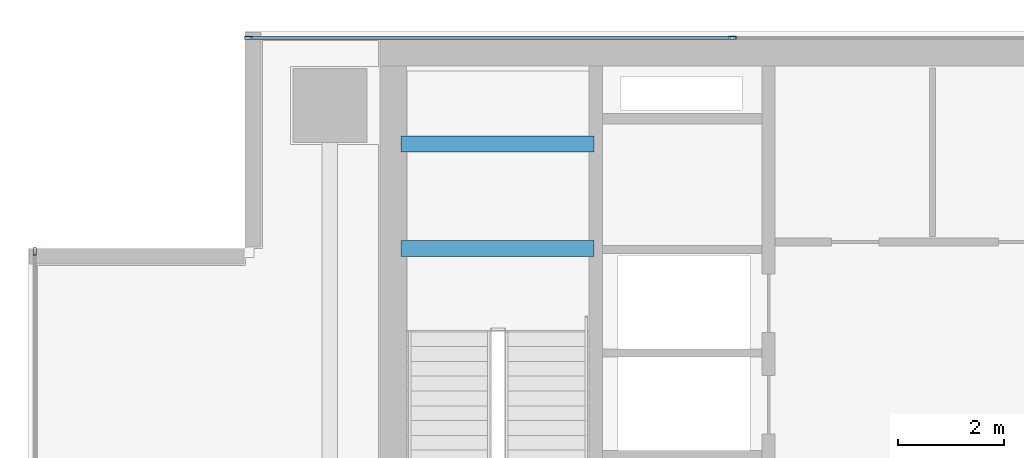
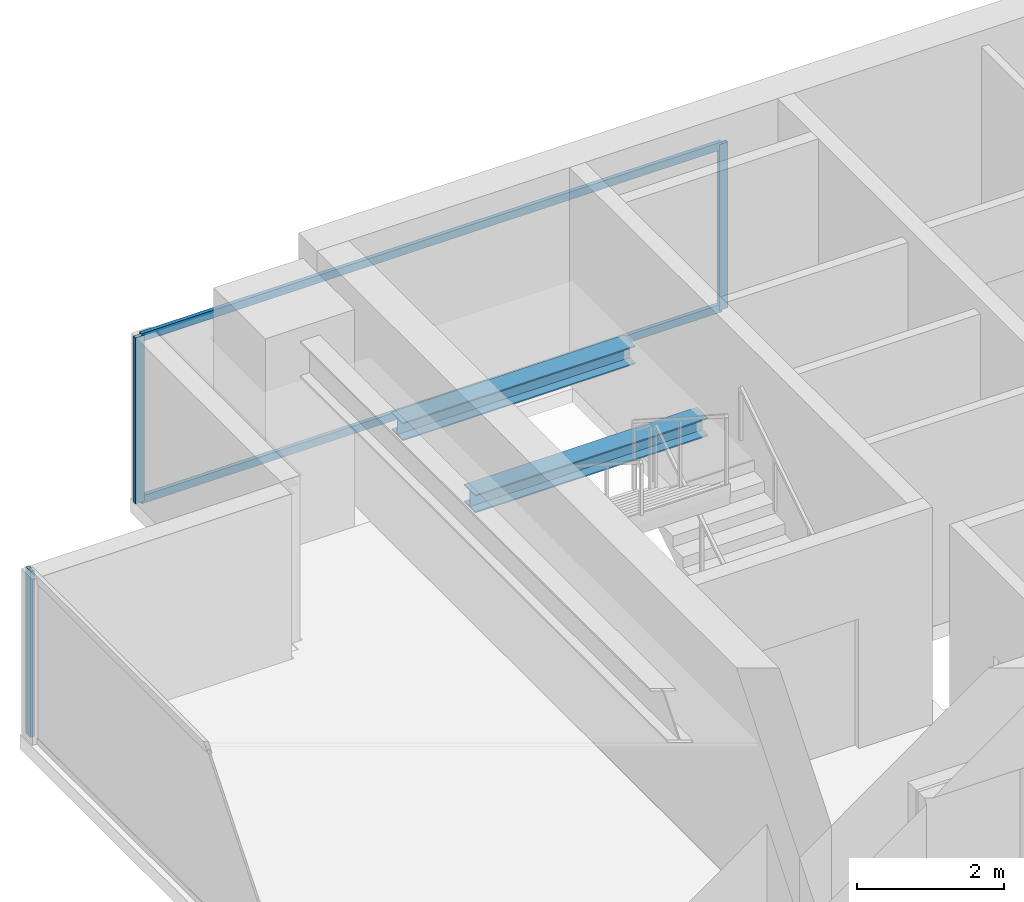
# One storey, part 15 of 25: 5 members, 2 beams, 2 elements without a shape of their own.
"""IFC4 building model written with IfcOpenShell, lengths in metres."""

from ifc_helpers import new_model, si_unit, direction, frame, origin, origin_2d, place, context, subcontext, project, spatial, hollow_rectangle, i_section, extrude, source, transform, mapped, material, layer, layer_set, material_profile, profile_set, type_object, element, aggregate, save


model = new_model("IFC4")

# Units and contexts
model_context = context("Model", 3, precision=1e-05, world=origin(), true_north=direction((0.0, 1.0)))
body_context = subcontext(model_context, "Body", "Model", "MODEL_VIEW")
ifc_project = project(units=[si_unit("LENGTHUNIT", "METRE"), si_unit("AREAUNIT", "SQUARE_METRE"), si_unit("VOLUMEUNIT", "CUBIC_METRE"), si_unit("PLANEANGLEUNIT", "RADIAN"), si_unit("MASSUNIT", "GRAM", prefix="KILO")], contexts=[model_context])

# Site, building, storey
site_placement = place(None, origin())
site = spatial("IfcSite", under=ifc_project, at=site_placement, CompositionType="ELEMENT")
building_placement = place(site_placement, origin())
building = spatial("IfcBuilding", under=site, at=building_placement, Name="Sumidabori Civic Tower", CompositionType="ELEMENT")
storey_placement = place(building_placement, frame((0.0, 0.0, 232.39990234375)))
storey = spatial("IfcBuildingStorey", under=building, at=storey_placement, Name="L60", CompositionType="ELEMENT", Elevation=232.39990234375)

# Beams
ifc_material_1 = material(Name="Steel SN490", Category="steel")
ifc_material_profile_1 = material_profile(ifc_material_1, i_section(OverallWidth=0.300048828125, OverallDepth=0.300048828125, WebThickness=0.010986328125, FlangeThickness=0.01904296875, at=origin_2d()), Name="HE 300 B")
ifc_profile_set_1 = profile_set([ifc_material_profile_1], Name="Steel SN490")
beam_type = type_object("IfcBeamType", Name="BM-LDG-300", PredefinedType="BEAM", material=ifc_profile_set_1)
shared_shape_1 = source(origin(), body_context, "Body", "SweptSolid", [
    extrude(i_section(OverallWidth=0.300048828125, OverallDepth=0.300048828125, WebThickness=0.010986328125, FlangeThickness=0.01904296875, at=origin_2d()), origin(), (0.0, 0.0, 1.0), 3.64990234375),
])
for number, where, z_axis, x_axis, name in (
    (1, (-15.449951171875, 20.09765625, 1.4501953125), (1.0, 0.0, 0.0), (0.0, 1.0, 0.0), "Stair ST-1 Landing Support Beam L60-1A"),
    (2, (-15.449951171875, 22.069580078125, 1.4501953125), (1.0, 0.0, 0.0), (0.0, 1.0, 0.0), "Stair ST-1 Landing Trimmer Beam L60-1B"),
):
    element("IfcBeam", number, at=place(storey_placement, frame(where, z_axis=z_axis, x_axis=x_axis)), inside=storey, type_object=beam_type, Name=name, PredefinedType="BEAM", context=body_context, shape_type="MappedRepresentation", body=[
        mapped(shared_shape_1, transform((0.0, 0.0, 0.0), x_axis=(1.0, 0.0, 0.0), y_axis=(0.0, 1.0, 0.0), z_axis=(0.0, 0.0, 1.0), scale=1.0)),
    ])

# Curtain wall, members
ifc_material_2 = material(Name="Anodised Bronze Aluminium AW-6063-T6", Category="aluminium")
ifc_layer = layer(ifc_material_2, 0.179931640625, Name="Anodised Bronze Aluminium AW-6063-T6")
ifc_layer_set = layer_set([ifc_layer], Name="Anodised Bronze Aluminium AW-6063-T6")
curtain_wall_type = type_object("IfcCurtainWallType", Name="CW-SYS-5", PredefinedType="NOTDEFINED", material=ifc_layer_set)
curtain_wall_1_placement = place(storey_placement, origin())
curtain_wall_1 = element("IfcCurtainWall", 3, at=curtain_wall_1_placement, inside=storey, type_object=curtain_wall_type, Name="Curtain Wall CW:L60:R07", PredefinedType="NOTDEFINED")
ifc_material_profile_2 = material_profile(ifc_material_2, hollow_rectangle(XDim=0.06005859375, YDim=0.1298828125, WallThickness=0.0048828125, at=origin_2d()), Name="ALU TRANSOM 130x60")
ifc_profile_set_2 = profile_set([ifc_material_profile_2], Name="Anodised Bronze Aluminium AW-6063-T6")
member_type_1 = type_object("IfcMemberType", Name="CW-TRN-130", PredefinedType="USERDEFINED", material=ifc_profile_set_2)
shared_shape_2 = source(origin(), body_context, "Body", "SweptSolid", [
    extrude(hollow_rectangle(XDim=0.06005859375, YDim=0.1298828125, WallThickness=0.0048828125, at=origin_2d()), origin(), (0.0, 0.0, 1.0), 9.094970703125),
])
member_1_placement = place(storey_placement, frame((-9.215087890625, 24.080078125, 0.030029296875), z_axis=(-1.0, 0.0, 0.0), x_axis=(0.0, -1.0, 0.0)))
member_1 = element("IfcMember", 4, at=member_1_placement, type_object=member_type_1, Name="CW-5 transom 4.1", ObjectType="TRANSOM", PredefinedType="USERDEFINED", context=body_context, shape_type="MappedRepresentation", body=[
    mapped(shared_shape_2, transform((0.0, 0.0, 0.0), x_axis=(1.0, 0.0, 0.0), y_axis=(0.0, 1.0, 0.0), z_axis=(0.0, 0.0, 1.0), scale=1.0)),
])
member_2_placement = place(storey_placement, frame((-9.215087890625, 24.080078125, 2.72021484375), z_axis=(-1.0, 0.0, 0.0), x_axis=(0.0, -1.0, 0.0)))
member_2 = element("IfcMember", 5, at=member_2_placement, type_object=member_type_1, Name="CW-5 transom 4.2", ObjectType="TRANSOM", PredefinedType="USERDEFINED", context=body_context, shape_type="MappedRepresentation", body=[
    mapped(shared_shape_2, transform((0.0, 0.0, 0.0), x_axis=(1.0, 0.0, 0.0), y_axis=(0.0, 1.0, 0.0), z_axis=(0.0, 0.0, 1.0), scale=1.0)),
])
ifc_material_profile_3 = material_profile(ifc_material_2, hollow_rectangle(XDim=0.06005859375, YDim=0.139892578125, WallThickness=0.0048828125, at=origin_2d()), Name="ALU MULLION 140x60")
ifc_profile_set_3 = profile_set([ifc_material_profile_3], Name="Anodised Bronze Aluminium AW-6063-T6")
member_type_2 = type_object("IfcMemberType", Name="CW-MUL-140", PredefinedType="MULLION", material=ifc_profile_set_3)
shared_shape_3 = source(origin(), body_context, "Body", "SweptSolid", [
    extrude(hollow_rectangle(XDim=0.06005859375, YDim=0.139892578125, WallThickness=0.0048828125, at=origin_2d()), origin(), (0.0, 0.0, 1.0), 2.75),
])
member_3_placement = place(storey_placement, frame((-9.18505859375, 24.080078125, 0.0), z_axis=(0.0, 0.0, 1.0), x_axis=(0.0, -1.0, 0.0)))
member_3 = element("IfcMember", 6, at=member_3_placement, type_object=member_type_2, Name="CW-5 mullion 4", PredefinedType="MULLION", context=body_context, shape_type="MappedRepresentation", body=[
    mapped(shared_shape_3, transform((0.0, 0.0, 0.0), x_axis=(1.0, 0.0, 0.0), y_axis=(0.0, 1.0, 0.0), z_axis=(0.0, 0.0, 1.0), scale=1.0)),
])
member_4_placement = place(storey_placement, frame((-18.340087890625, 24.080078125, 0.0), z_axis=(0.0, 0.0, 1.0), x_axis=(0.0, -1.0, 0.0)))
member_4 = element("IfcMember", 7, at=member_4_placement, type_object=member_type_2, Name="CW-5 mullion 5", PredefinedType="MULLION", context=body_context, shape_type="MappedRepresentation", body=[
    mapped(shared_shape_3, transform((0.0, 0.0, 0.0), x_axis=(1.0, 0.0, 0.0), y_axis=(0.0, 1.0, 0.0), z_axis=(0.0, 0.0, 1.0), scale=1.0)),
])
aggregate(curtain_wall_1, [member_3, member_4, member_1, member_2])

# Curtain wall, member
curtain_wall_2_placement = place(storey_placement, origin())
curtain_wall_2 = element("IfcCurtainWall", 8, at=curtain_wall_2_placement, inside=storey, type_object=curtain_wall_type, Name="Curtain Wall CW:L60:R10", PredefinedType="NOTDEFINED")
member_5_placement = place(storey_placement, frame((-22.3798828125, 20.0400390625, 0.0), z_axis=(0.0, 0.0, 1.0), x_axis=(1.0, 0.0, 0.0)))
member_5 = element("IfcMember", 9, at=member_5_placement, type_object=member_type_2, Name="CW-5 mullion 1", PredefinedType="MULLION", context=body_context, shape_type="MappedRepresentation", body=[
    mapped(shared_shape_3, transform((0.0, 0.0, 0.0), x_axis=(1.0, 0.0, 0.0), y_axis=(0.0, 1.0, 0.0), z_axis=(0.0, 0.0, 1.0), scale=1.0)),
])
aggregate(curtain_wall_2, [member_5])

save(model, "model.ifc")
